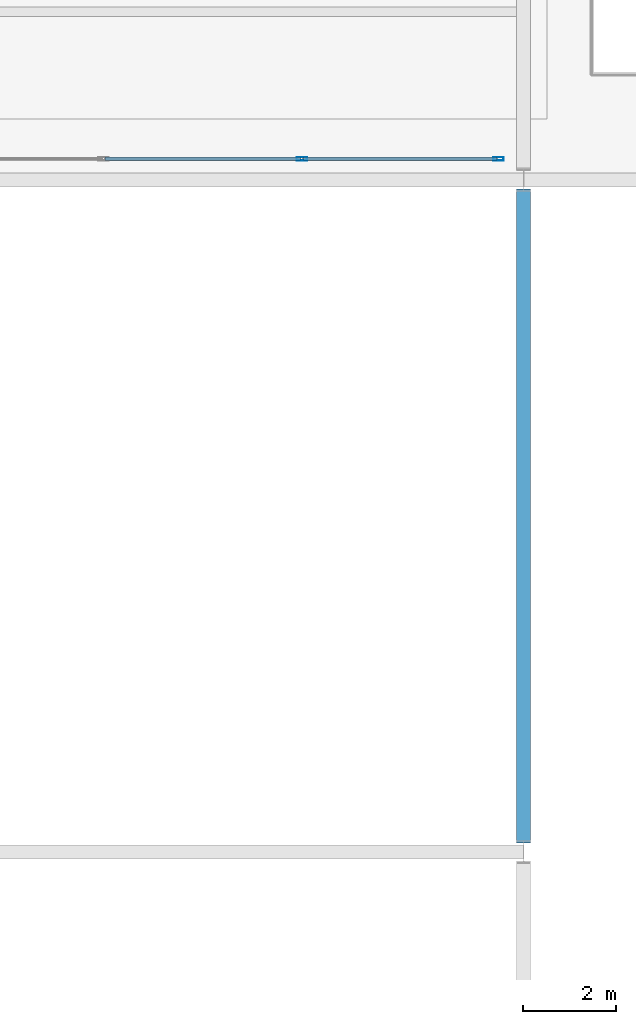
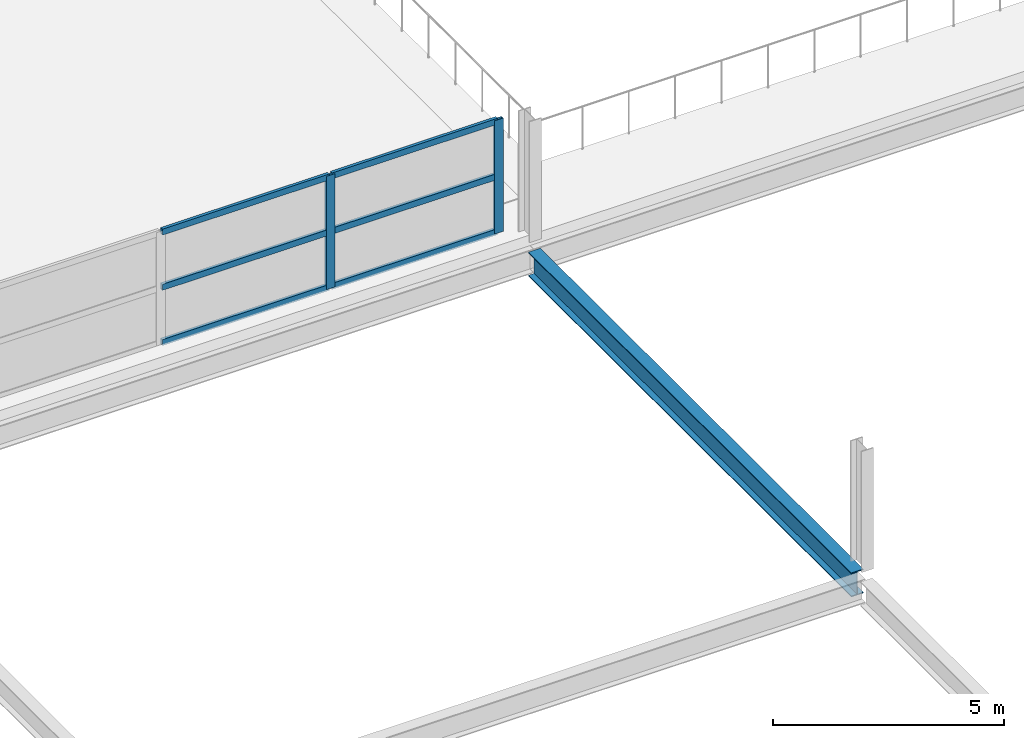
# One storey, part 64 of 134: 8 members, 1 beam, 1 element without a shape of its own.
"""IFC4 building model written with IfcOpenShell, lengths in metres."""

from ifc_helpers import new_model, si_unit, direction, frame, origin, origin_2d, place, context, subcontext, project, spatial, hollow_rectangle, i_section, extrude, material, layer, layer_set, material_profile, profile_set, type_object, element, aggregate, save


model = new_model("IFC4")

# Units and contexts
model_context = context("Model", 3, precision=1e-05, world=origin(), true_north=direction((0.0, 1.0)))
body_context = subcontext(model_context, "Body", "Model", "MODEL_VIEW")
ifc_project = project(units=[si_unit("LENGTHUNIT", "METRE"), si_unit("AREAUNIT", "SQUARE_METRE"), si_unit("VOLUMEUNIT", "CUBIC_METRE"), si_unit("PLANEANGLEUNIT", "RADIAN"), si_unit("MASSUNIT", "GRAM", prefix="KILO")], contexts=[model_context])

# Site, building, storey
site_placement = place(None, origin())
site = spatial("IfcSite", under=ifc_project, at=site_placement, CompositionType="ELEMENT")
building_placement = place(site_placement, origin())
building = spatial("IfcBuilding", under=site, at=building_placement, Name="Tamarisk Ironworks Central Station", CompositionType="ELEMENT")
storey_placement = place(building_placement, frame((0.0, 0.0, 12.60009765625)))
storey = spatial("IfcBuildingStorey", under=building, at=storey_placement, Name="L02", CompositionType="ELEMENT", Elevation=12.60009765625)

# Beam
ifc_material_1 = material(Name="Structural steel S355J2", Category="steel")
ifc_material_profile_1 = material_profile(ifc_material_1, i_section(OverallWidth=0.300048828125, OverallDepth=0.639892578125, WebThickness=0.013427734375, FlangeThickness=0.02587890625, at=origin_2d()), Name="HEA 650")
ifc_profile_set_1 = profile_set([ifc_material_profile_1], Name="Structural steel S355J2")
beam_type = type_object("IfcBeamType", Name="BM-G02", PredefinedType="BEAM", material=ifc_profile_set_1)
beam_placement = place(storey_placement, frame((72.0, 64.99609375, -0.60009765625), z_axis=(0.0, 1.0, 0.0), x_axis=(-1.0, 0.0, 0.0)))
element("IfcBeam", 1, at=beam_placement, inside=storey, type_object=beam_type, Name="L02 primary girder Y-0468", PredefinedType="BEAM", context=body_context, shape_type="SweptSolid", body=[
    extrude(i_section(OverallWidth=0.300048828125, OverallDepth=0.639892578125, WebThickness=0.013427734375, FlangeThickness=0.02587890625, at=origin_2d()), origin(), (0.0, 0.0, 1.0), 14.0078125),
])

# Curtain wall, members
ifc_material_2 = material(Name="Anodized aluminium alloy 6063-T6", Category="aluminium")
ifc_layer = layer(ifc_material_2, 0.179931640625)
ifc_layer_set = layer_set([ifc_layer], Name="Anodized aluminium alloy 6063-T6")
curtain_wall_type = type_object("IfcCurtainWallType", Name="CW-24", PredefinedType="USERDEFINED", material=ifc_layer_set)
curtain_wall_placement = place(storey_placement, origin())
curtain_wall = element("IfcCurtainWall", 2, at=curtain_wall_placement, inside=storey, type_object=curtain_wall_type, Name="Mezzanine south-west acoustic screen", ObjectType="GLAZED CURTAIN WALL", PredefinedType="USERDEFINED")
ifc_material_profile_2 = material_profile(ifc_material_2, hollow_rectangle(XDim=0.074951171875, YDim=0.219970703125, WallThickness=0.00390625, at=origin_2d()), Name="ALUM 220x75")
ifc_profile_set_2 = profile_set([ifc_material_profile_2], Name="Anodized aluminium alloy 6063-T6")
member_type_1 = type_object("IfcMemberType", Name="CWM-01", PredefinedType="MULLION", material=ifc_profile_set_2)
member_1_placement = place(storey_placement, frame((67.25, 79.64990234375, 0.0), z_axis=(0.0, 0.0, 1.0), x_axis=(0.0, 1.0, 0.0)))
member_1 = element("IfcMember", 3, at=member_1_placement, type_object=member_type_1, Name="CW24 mullion 4", PredefinedType="MULLION", context=body_context, shape_type="SweptSolid", body=[
    extrude(hollow_rectangle(XDim=0.074951171875, YDim=0.219970703125, WallThickness=0.00390625, at=origin_2d()), origin(), (0.0, 0.0, 1.0), 3.0),
])
member_2_placement = place(storey_placement, frame((71.46240234375, 79.64990234375, 0.0), z_axis=(0.0, 0.0, 1.0), x_axis=(0.0, 1.0, 0.0)))
member_2 = element("IfcMember", 4, at=member_2_placement, type_object=member_type_1, Name="CW24 mullion 5", PredefinedType="MULLION", context=body_context, shape_type="SweptSolid", body=[
    extrude(hollow_rectangle(XDim=0.074951171875, YDim=0.219970703125, WallThickness=0.00390625, at=origin_2d()), origin(), (0.0, 0.0, 1.0), 3.0),
])
ifc_material_profile_3 = material_profile(ifc_material_2, hollow_rectangle(XDim=0.074951171875, YDim=0.159912109375, WallThickness=0.00390625, at=origin_2d()), Name="ALUM 160x75")
ifc_profile_set_3 = profile_set([ifc_material_profile_3], Name="Anodized aluminium alloy 6063-T6")
member_type_2 = type_object("IfcMemberType", Name="CWT-01", PredefinedType="USERDEFINED", material=ifc_profile_set_3)
member_3_placement = place(storey_placement, frame((63.033447265625, 79.64990234375, 0.037353515625), z_axis=(1.0, 0.0, 0.0), x_axis=(0.0, 1.0, 0.0)))
member_3 = element("IfcMember", 5, at=member_3_placement, type_object=member_type_2, Name="CW24 transom 3.1", ObjectType="TRANSOM", PredefinedType="USERDEFINED", context=body_context, shape_type="SweptSolid", body=[
    extrude(hollow_rectangle(XDim=0.074951171875, YDim=0.159912109375, WallThickness=0.00390625, at=origin_2d()), origin(), (0.0, 0.0, 1.0), 4.18310546875),
])
member_4_placement = place(storey_placement, frame((63.033447265625, 79.64990234375, 1.5), z_axis=(1.0, 0.0, 0.0), x_axis=(0.0, 1.0, 0.0)))
member_4 = element("IfcMember", 6, at=member_4_placement, type_object=member_type_2, Name="CW24 transom 3.2", ObjectType="TRANSOM", PredefinedType="USERDEFINED", context=body_context, shape_type="SweptSolid", body=[
    extrude(hollow_rectangle(XDim=0.074951171875, YDim=0.159912109375, WallThickness=0.00390625, at=origin_2d()), origin(), (0.0, 0.0, 1.0), 4.18310546875),
])
member_5_placement = place(storey_placement, frame((63.033447265625, 79.64990234375, 2.96240234375), z_axis=(1.0, 0.0, 0.0), x_axis=(0.0, 1.0, 0.0)))
member_5 = element("IfcMember", 7, at=member_5_placement, type_object=member_type_2, Name="CW24 transom 3.3", ObjectType="TRANSOM", PredefinedType="USERDEFINED", context=body_context, shape_type="SweptSolid", body=[
    extrude(hollow_rectangle(XDim=0.074951171875, YDim=0.159912109375, WallThickness=0.00390625, at=origin_2d()), origin(), (0.0, 0.0, 1.0), 4.18310546875),
])
member_6_placement = place(storey_placement, frame((67.283447265625, 79.64990234375, 0.037353515625), z_axis=(1.0, 0.0, 0.0), x_axis=(0.0, 1.0, 0.0)))
member_6 = element("IfcMember", 8, at=member_6_placement, type_object=member_type_2, Name="CW24 transom 4.1", ObjectType="TRANSOM", PredefinedType="USERDEFINED", context=body_context, shape_type="SweptSolid", body=[
    extrude(hollow_rectangle(XDim=0.074951171875, YDim=0.159912109375, WallThickness=0.00390625, at=origin_2d()), origin(), (0.0, 0.0, 1.0), 4.1455078125),
])
member_7_placement = place(storey_placement, frame((67.283447265625, 79.64990234375, 1.5), z_axis=(1.0, 0.0, 0.0), x_axis=(0.0, 1.0, 0.0)))
member_7 = element("IfcMember", 9, at=member_7_placement, type_object=member_type_2, Name="CW24 transom 4.2", ObjectType="TRANSOM", PredefinedType="USERDEFINED", context=body_context, shape_type="SweptSolid", body=[
    extrude(hollow_rectangle(XDim=0.074951171875, YDim=0.159912109375, WallThickness=0.00390625, at=origin_2d()), origin(), (0.0, 0.0, 1.0), 4.1455078125),
])
member_8_placement = place(storey_placement, frame((67.283447265625, 79.64990234375, 2.96240234375), z_axis=(1.0, 0.0, 0.0), x_axis=(0.0, 1.0, 0.0)))
member_8 = element("IfcMember", 10, at=member_8_placement, type_object=member_type_2, Name="CW24 transom 4.3", ObjectType="TRANSOM", PredefinedType="USERDEFINED", context=body_context, shape_type="SweptSolid", body=[
    extrude(hollow_rectangle(XDim=0.074951171875, YDim=0.159912109375, WallThickness=0.00390625, at=origin_2d()), origin(), (0.0, 0.0, 1.0), 4.1455078125),
])
aggregate(curtain_wall, [member_1, member_2, member_3, member_4, member_5, member_6, member_7, member_8])

save(model, "model.ifc")
